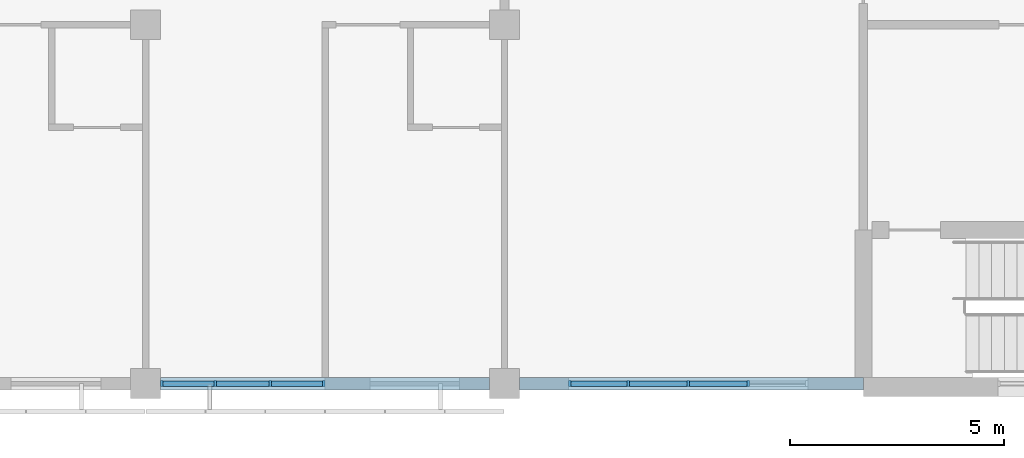
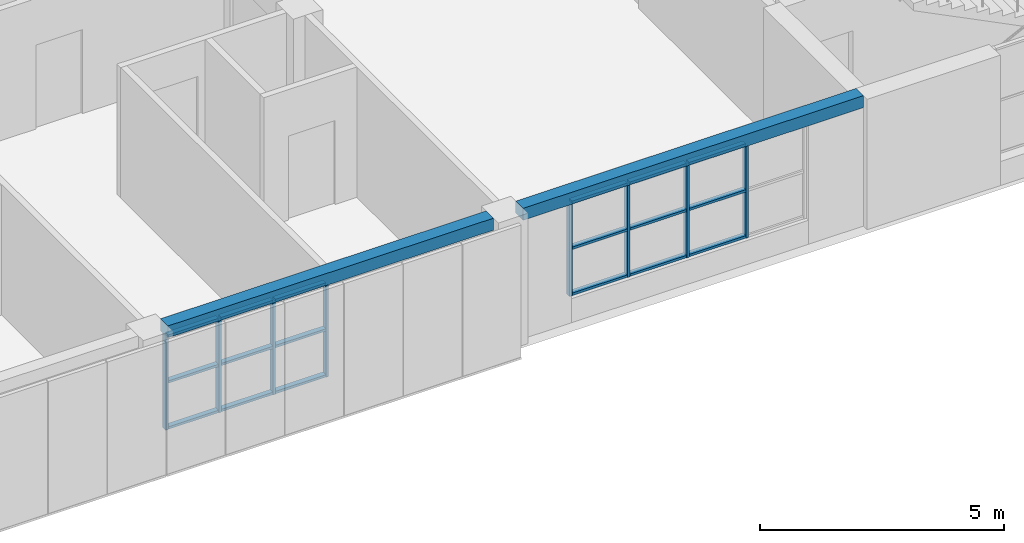
# One storey, part 2 of 46: 26 members, 2 beams, 2 elements without a shape of their own.
"""IFC4 building model written with IfcOpenShell, lengths in metres."""

from ifc_helpers import new_model, si_unit, direction, frame, origin, origin_2d, place, context, subcontext, project, spatial, rectangle, extrude, material, material_profile, profile_set, type_object, element, aggregate, save


model = new_model("IFC4")

# Units and contexts
model_context = context("Model", 3, precision=1e-05, world=origin(), true_north=direction((0.0, 1.0)))
body_context = subcontext(model_context, "Body", "Model", "MODEL_VIEW")
ifc_project = project(units=[si_unit("LENGTHUNIT", "METRE"), si_unit("AREAUNIT", "SQUARE_METRE"), si_unit("VOLUMEUNIT", "CUBIC_METRE"), si_unit("PLANEANGLEUNIT", "RADIAN"), si_unit("MASSUNIT", "GRAM", prefix="KILO")], contexts=[model_context])

# Site, building, storey
site_placement = place(None, origin())
site = spatial("IfcSite", under=ifc_project, at=site_placement, CompositionType="ELEMENT")
building_placement = place(site_placement, origin())
building = spatial("IfcBuilding", under=site, at=building_placement, Name="Yavir Park General Hospital", CompositionType="ELEMENT")
storey_placement = place(building_placement, frame((0.0, 0.0, 18.89990234375)))
storey = spatial("IfcBuildingStorey", under=building, at=storey_placement, Name="L04", CompositionType="ELEMENT", Elevation=18.89990234375)

# Curtain wall, members
ifc_material_1 = material(Name="Aluminium curtain wall frame with insulated glazing", Category="aluminium")
curtain_wall_type = type_object("IfcCurtainWallType", Name="Day room pocket glazing, ward floors, 2360 high, 1400 module", PredefinedType="NOTDEFINED", material=ifc_material_1)
curtain_wall_1_placement = place(storey_placement, origin())
curtain_wall_1 = element("IfcCurtainWall", 1, at=curtain_wall_1_placement, inside=storey, type_object=curtain_wall_type, Name="CW6 L04-001", PredefinedType="NOTDEFINED")
ifc_material_2 = material(Name="Aluminium", Category="aluminium")
ifc_material_profile_1 = material_profile(ifc_material_2, rectangle(XDim=0.139892578125, YDim=0.06005859375, at=origin_2d()), Name="AL 60x140")
ifc_profile_set_1 = profile_set([ifc_material_profile_1], Name="Aluminium")
member_type_1 = type_object("IfcMemberType", Name="Day room pocket glazing, ward floors, 2360 high mullion 60 x 140", PredefinedType="MULLION", material=ifc_profile_set_1)
member_1_placement = place(storey_placement, frame((17.179931640625, 0.0, 0.60009765625), z_axis=(0.0, 0.0, 1.0), x_axis=(0.0, 1.0, 0.0)))
member_1 = element("IfcMember", 2, at=member_1_placement, type_object=member_type_1, Name="CW6 mullion 1", PredefinedType="MULLION", context=body_context, shape_type="SweptSolid", body=[
    extrude(rectangle(XDim=0.139892578125, YDim=0.06005859375, at=origin_2d()), origin(), (0.0, 0.0, 1.0), 2.360107421875),
])
member_2_placement = place(storey_placement, frame((18.433349609375, 0.0, 0.60009765625), z_axis=(0.0, 0.0, 1.0), x_axis=(0.0, 1.0, 0.0)))
member_2 = element("IfcMember", 3, at=member_2_placement, type_object=member_type_1, Name="CW6 mullion 2", PredefinedType="MULLION", context=body_context, shape_type="SweptSolid", body=[
    extrude(rectangle(XDim=0.139892578125, YDim=0.06005859375, at=origin_2d()), origin(), (0.0, 0.0, 1.0), 2.360107421875),
])
member_3_placement = place(storey_placement, frame((19.716552734375, 0.0, 0.60009765625), z_axis=(0.0, 0.0, 1.0), x_axis=(0.0, 1.0, 0.0)))
member_3 = element("IfcMember", 4, at=member_3_placement, type_object=member_type_1, Name="CW6 mullion 3", PredefinedType="MULLION", context=body_context, shape_type="SweptSolid", body=[
    extrude(rectangle(XDim=0.139892578125, YDim=0.06005859375, at=origin_2d()), origin(), (0.0, 0.0, 1.0), 2.360107421875),
])
member_4_placement = place(storey_placement, frame((20.969970703125, 0.0, 0.60009765625), z_axis=(0.0, 0.0, 1.0), x_axis=(0.0, 1.0, 0.0)))
member_4 = element("IfcMember", 5, at=member_4_placement, type_object=member_type_1, Name="CW6 mullion 4", PredefinedType="MULLION", context=body_context, shape_type="SweptSolid", body=[
    extrude(rectangle(XDim=0.139892578125, YDim=0.06005859375, at=origin_2d()), origin(), (0.0, 0.0, 1.0), 2.360107421875),
])

curtain_wall_2_placement = place(storey_placement, origin())
curtain_wall_2 = element("IfcCurtainWall", 6, at=curtain_wall_2_placement, inside=storey, type_object=curtain_wall_type, Name="CW6 L04-002", PredefinedType="NOTDEFINED")
member_5_placement = place(storey_placement, frame((26.72998046875, 0.0, 0.60009765625), z_axis=(0.0, 0.0, 1.0), x_axis=(0.0, 1.0, 0.0)))
member_5 = element("IfcMember", 7, at=member_5_placement, type_object=member_type_1, Name="CW6 mullion 1", PredefinedType="MULLION", context=body_context, shape_type="SweptSolid", body=[
    extrude(rectangle(XDim=0.139892578125, YDim=0.06005859375, at=origin_2d()), origin(), (0.0, 0.0, 1.0), 2.360107421875),
])
member_6_placement = place(storey_placement, frame((28.10009765625, 0.0, 0.60009765625), z_axis=(0.0, 0.0, 1.0), x_axis=(0.0, 1.0, 0.0)))
member_6 = element("IfcMember", 8, at=member_6_placement, type_object=member_type_1, Name="CW6 mullion 2", PredefinedType="MULLION", context=body_context, shape_type="SweptSolid", body=[
    extrude(rectangle(XDim=0.139892578125, YDim=0.06005859375, at=origin_2d()), origin(), (0.0, 0.0, 1.0), 2.360107421875),
])
member_7_placement = place(storey_placement, frame((29.5, 0.0, 0.60009765625), z_axis=(0.0, 0.0, 1.0), x_axis=(0.0, 1.0, 0.0)))
member_7 = element("IfcMember", 9, at=member_7_placement, type_object=member_type_1, Name="CW6 mullion 3", PredefinedType="MULLION", context=body_context, shape_type="SweptSolid", body=[
    extrude(rectangle(XDim=0.139892578125, YDim=0.06005859375, at=origin_2d()), origin(), (0.0, 0.0, 1.0), 2.360107421875),
])
member_8_placement = place(storey_placement, frame((30.89990234375, 0.0, 0.60009765625), z_axis=(0.0, 0.0, 1.0), x_axis=(0.0, 1.0, 0.0)))
member_8 = element("IfcMember", 10, at=member_8_placement, type_object=member_type_1, Name="CW6 mullion 4", PredefinedType="MULLION", context=body_context, shape_type="SweptSolid", body=[
    extrude(rectangle(XDim=0.139892578125, YDim=0.06005859375, at=origin_2d()), origin(), (0.0, 0.0, 1.0), 2.360107421875),
])

# Member
ifc_material_3 = material(Name="Aluminium", Category="aluminium")
ifc_material_profile_2 = material_profile(ifc_material_3, rectangle(XDim=0.1201171875, YDim=0.06005859375, at=origin_2d()), Name="AL 120x60")
ifc_profile_set_2 = profile_set([ifc_material_profile_2], Name="Aluminium")
member_type_2 = type_object("IfcMemberType", Name="Day room pocket glazing, ward floors, 2360 high transom 60 x 120", PredefinedType="MULLION", material=ifc_profile_set_2)
member_9_placement = place(storey_placement, frame((17.2099609375, 0.0, 0.630126953125), z_axis=(1.0, 0.0, 0.0), x_axis=(0.0, 1.0, 0.0)))
member_9 = element("IfcMember", 11, at=member_9_placement, type_object=member_type_2, Name="CW6 transom 1.1", PredefinedType="MULLION", context=body_context, shape_type="SweptSolid", body=[
    extrude(rectangle(XDim=0.1201171875, YDim=0.06005859375, at=origin_2d()), origin(), (0.0, 0.0, 1.0), 1.193359375),
])

member_10_placement = place(storey_placement, frame((17.2099609375, 0.0, 1.780029296875), z_axis=(1.0, 0.0, 0.0), x_axis=(0.0, 1.0, 0.0)))
member_10 = element("IfcMember", 12, at=member_10_placement, type_object=member_type_2, Name="CW6 transom 1.2", PredefinedType="MULLION", context=body_context, shape_type="SweptSolid", body=[
    extrude(rectangle(XDim=0.1201171875, YDim=0.06005859375, at=origin_2d()), origin(), (0.0, 0.0, 1.0), 1.193359375),
])

member_11_placement = place(storey_placement, frame((17.2099609375, 0.0, 2.93017578125), z_axis=(1.0, 0.0, 0.0), x_axis=(0.0, 1.0, 0.0)))
member_11 = element("IfcMember", 13, at=member_11_placement, type_object=member_type_2, Name="CW6 transom 1.3", PredefinedType="MULLION", context=body_context, shape_type="SweptSolid", body=[
    extrude(rectangle(XDim=0.1201171875, YDim=0.06005859375, at=origin_2d()), origin(), (0.0, 0.0, 1.0), 1.193359375),
])

member_12_placement = place(storey_placement, frame((18.46337890625, 0.0, 0.630126953125), z_axis=(1.0, 0.0, 0.0), x_axis=(0.0, 1.0, 0.0)))
member_12 = element("IfcMember", 14, at=member_12_placement, type_object=member_type_2, Name="CW6 transom 2.1", PredefinedType="MULLION", context=body_context, shape_type="SweptSolid", body=[
    extrude(rectangle(XDim=0.1201171875, YDim=0.06005859375, at=origin_2d()), origin(), (0.0, 0.0, 1.0), 1.223388671875),
])

member_13_placement = place(storey_placement, frame((18.46337890625, 0.0, 1.780029296875), z_axis=(1.0, 0.0, 0.0), x_axis=(0.0, 1.0, 0.0)))
member_13 = element("IfcMember", 15, at=member_13_placement, type_object=member_type_2, Name="CW6 transom 2.2", PredefinedType="MULLION", context=body_context, shape_type="SweptSolid", body=[
    extrude(rectangle(XDim=0.1201171875, YDim=0.06005859375, at=origin_2d()), origin(), (0.0, 0.0, 1.0), 1.223388671875),
])

member_14_placement = place(storey_placement, frame((18.46337890625, 0.0, 2.93017578125), z_axis=(1.0, 0.0, 0.0), x_axis=(0.0, 1.0, 0.0)))
member_14 = element("IfcMember", 16, at=member_14_placement, type_object=member_type_2, Name="CW6 transom 2.3", PredefinedType="MULLION", context=body_context, shape_type="SweptSolid", body=[
    extrude(rectangle(XDim=0.1201171875, YDim=0.06005859375, at=origin_2d()), origin(), (0.0, 0.0, 1.0), 1.223388671875),
])

member_15_placement = place(storey_placement, frame((19.74658203125, 0.0, 0.630126953125), z_axis=(1.0, 0.0, 0.0), x_axis=(0.0, 1.0, 0.0)))
member_15 = element("IfcMember", 17, at=member_15_placement, type_object=member_type_2, Name="CW6 transom 3.1", PredefinedType="MULLION", context=body_context, shape_type="SweptSolid", body=[
    extrude(rectangle(XDim=0.1201171875, YDim=0.06005859375, at=origin_2d()), origin(), (0.0, 0.0, 1.0), 1.193359375),
])

member_16_placement = place(storey_placement, frame((19.74658203125, 0.0, 1.780029296875), z_axis=(1.0, 0.0, 0.0), x_axis=(0.0, 1.0, 0.0)))
member_16 = element("IfcMember", 18, at=member_16_placement, type_object=member_type_2, Name="CW6 transom 3.2", PredefinedType="MULLION", context=body_context, shape_type="SweptSolid", body=[
    extrude(rectangle(XDim=0.1201171875, YDim=0.06005859375, at=origin_2d()), origin(), (0.0, 0.0, 1.0), 1.193359375),
])

member_17_placement = place(storey_placement, frame((19.74658203125, 0.0, 2.93017578125), z_axis=(1.0, 0.0, 0.0), x_axis=(0.0, 1.0, 0.0)))
member_17 = element("IfcMember", 19, at=member_17_placement, type_object=member_type_2, Name="CW6 transom 3.3", PredefinedType="MULLION", context=body_context, shape_type="SweptSolid", body=[
    extrude(rectangle(XDim=0.1201171875, YDim=0.06005859375, at=origin_2d()), origin(), (0.0, 0.0, 1.0), 1.193359375),
])

aggregate(curtain_wall_1, [member_1, member_2, member_3, member_4, member_9, member_10, member_11, member_12, member_13, member_14, member_15, member_16, member_17])

member_18_placement = place(storey_placement, frame((26.760009765625, 0.0, 0.630126953125), z_axis=(1.0, 0.0, 0.0), x_axis=(0.0, 1.0, 0.0)))
member_18 = element("IfcMember", 20, at=member_18_placement, type_object=member_type_2, Name="CW6 transom 1.1", PredefinedType="MULLION", context=body_context, shape_type="SweptSolid", body=[
    extrude(rectangle(XDim=0.1201171875, YDim=0.06005859375, at=origin_2d()), origin(), (0.0, 0.0, 1.0), 1.31005859375),
])

member_19_placement = place(storey_placement, frame((26.760009765625, 0.0, 1.780029296875), z_axis=(1.0, 0.0, 0.0), x_axis=(0.0, 1.0, 0.0)))
member_19 = element("IfcMember", 21, at=member_19_placement, type_object=member_type_2, Name="CW6 transom 1.2", PredefinedType="MULLION", context=body_context, shape_type="SweptSolid", body=[
    extrude(rectangle(XDim=0.1201171875, YDim=0.06005859375, at=origin_2d()), origin(), (0.0, 0.0, 1.0), 1.31005859375),
])

member_20_placement = place(storey_placement, frame((26.760009765625, 0.0, 2.93017578125), z_axis=(1.0, 0.0, 0.0), x_axis=(0.0, 1.0, 0.0)))
member_20 = element("IfcMember", 22, at=member_20_placement, type_object=member_type_2, Name="CW6 transom 1.3", PredefinedType="MULLION", context=body_context, shape_type="SweptSolid", body=[
    extrude(rectangle(XDim=0.1201171875, YDim=0.06005859375, at=origin_2d()), origin(), (0.0, 0.0, 1.0), 1.31005859375),
])

member_21_placement = place(storey_placement, frame((28.1298828125, 0.0, 0.630126953125), z_axis=(1.0, 0.0, 0.0), x_axis=(0.0, 1.0, 0.0)))
member_21 = element("IfcMember", 23, at=member_21_placement, type_object=member_type_2, Name="CW6 transom 2.1", PredefinedType="MULLION", context=body_context, shape_type="SweptSolid", body=[
    extrude(rectangle(XDim=0.1201171875, YDim=0.06005859375, at=origin_2d()), origin(), (0.0, 0.0, 1.0), 1.340087890625),
])

member_22_placement = place(storey_placement, frame((28.1298828125, 0.0, 1.780029296875), z_axis=(1.0, 0.0, 0.0), x_axis=(0.0, 1.0, 0.0)))
member_22 = element("IfcMember", 24, at=member_22_placement, type_object=member_type_2, Name="CW6 transom 2.2", PredefinedType="MULLION", context=body_context, shape_type="SweptSolid", body=[
    extrude(rectangle(XDim=0.1201171875, YDim=0.06005859375, at=origin_2d()), origin(), (0.0, 0.0, 1.0), 1.340087890625),
])

member_23_placement = place(storey_placement, frame((28.1298828125, 0.0, 2.93017578125), z_axis=(1.0, 0.0, 0.0), x_axis=(0.0, 1.0, 0.0)))
member_23 = element("IfcMember", 25, at=member_23_placement, type_object=member_type_2, Name="CW6 transom 2.3", PredefinedType="MULLION", context=body_context, shape_type="SweptSolid", body=[
    extrude(rectangle(XDim=0.1201171875, YDim=0.06005859375, at=origin_2d()), origin(), (0.0, 0.0, 1.0), 1.340087890625),
])

member_24_placement = place(storey_placement, frame((29.530029296875, 0.0, 0.630126953125), z_axis=(1.0, 0.0, 0.0), x_axis=(0.0, 1.0, 0.0)))
member_24 = element("IfcMember", 26, at=member_24_placement, type_object=member_type_2, Name="CW6 transom 3.1", PredefinedType="MULLION", context=body_context, shape_type="SweptSolid", body=[
    extrude(rectangle(XDim=0.1201171875, YDim=0.06005859375, at=origin_2d()), origin(), (0.0, 0.0, 1.0), 1.340087890625),
])

member_25_placement = place(storey_placement, frame((29.530029296875, 0.0, 1.780029296875), z_axis=(1.0, 0.0, 0.0), x_axis=(0.0, 1.0, 0.0)))
member_25 = element("IfcMember", 27, at=member_25_placement, type_object=member_type_2, Name="CW6 transom 3.2", PredefinedType="MULLION", context=body_context, shape_type="SweptSolid", body=[
    extrude(rectangle(XDim=0.1201171875, YDim=0.06005859375, at=origin_2d()), origin(), (0.0, 0.0, 1.0), 1.340087890625),
])

member_26_placement = place(storey_placement, frame((29.530029296875, 0.0, 2.93017578125), z_axis=(1.0, 0.0, 0.0), x_axis=(0.0, 1.0, 0.0)))
member_26 = element("IfcMember", 28, at=member_26_placement, type_object=member_type_2, Name="CW6 transom 3.3", PredefinedType="MULLION", context=body_context, shape_type="SweptSolid", body=[
    extrude(rectangle(XDim=0.1201171875, YDim=0.06005859375, at=origin_2d()), origin(), (0.0, 0.0, 1.0), 1.340087890625),
])

aggregate(curtain_wall_2, [member_5, member_6, member_7, member_8, member_18, member_19, member_20, member_21, member_22, member_23, member_24, member_25, member_26])

# Beams
ifc_material_4 = material(Name="Concrete C35/45", Category="concrete")
ifc_material_profile_3 = material_profile(ifc_material_4, rectangle(XDim=0.300048828125, YDim=0.300048828125, at=origin_2d()), Name="RC300x300")
ifc_profile_set_3 = profile_set([ifc_material_profile_3], Name="Concrete C35/45")
beam_type = type_object("IfcBeamType", Name="RC BEAM 300x300 edge beam", PredefinedType="BEAM", material=ifc_profile_set_3)
beam_1_placement = place(storey_placement, frame((17.14990234375, 0.0, 3.110107421875), z_axis=(1.0, 0.0, 0.0), x_axis=(0.0, 1.0, 0.0)))
element("IfcBeam", 29, at=beam_1_placement, inside=storey, type_object=beam_type, Name="B:EDGE:L04:003", PredefinedType="BEAM", context=body_context, shape_type="SweptSolid", body=[
    extrude(rectangle(XDim=0.300048828125, YDim=0.300048828125, at=origin_2d()), origin(), (0.0, 0.0, 1.0), 7.7001953125),
])
beam_2_placement = place(storey_placement, frame((25.550048828125, 0.0, 3.110107421875), z_axis=(1.0, 0.0, 0.0), x_axis=(0.0, 1.0, 0.0)))
element("IfcBeam", 30, at=beam_2_placement, inside=storey, type_object=beam_type, Name="B:EDGE:L04:004", PredefinedType="BEAM", context=body_context, shape_type="SweptSolid", body=[
    extrude(rectangle(XDim=0.300048828125, YDim=0.300048828125, at=origin_2d()), origin(), (0.0, 0.0, 1.0), 8.050048828125),
])

save(model, "model.ifc")
